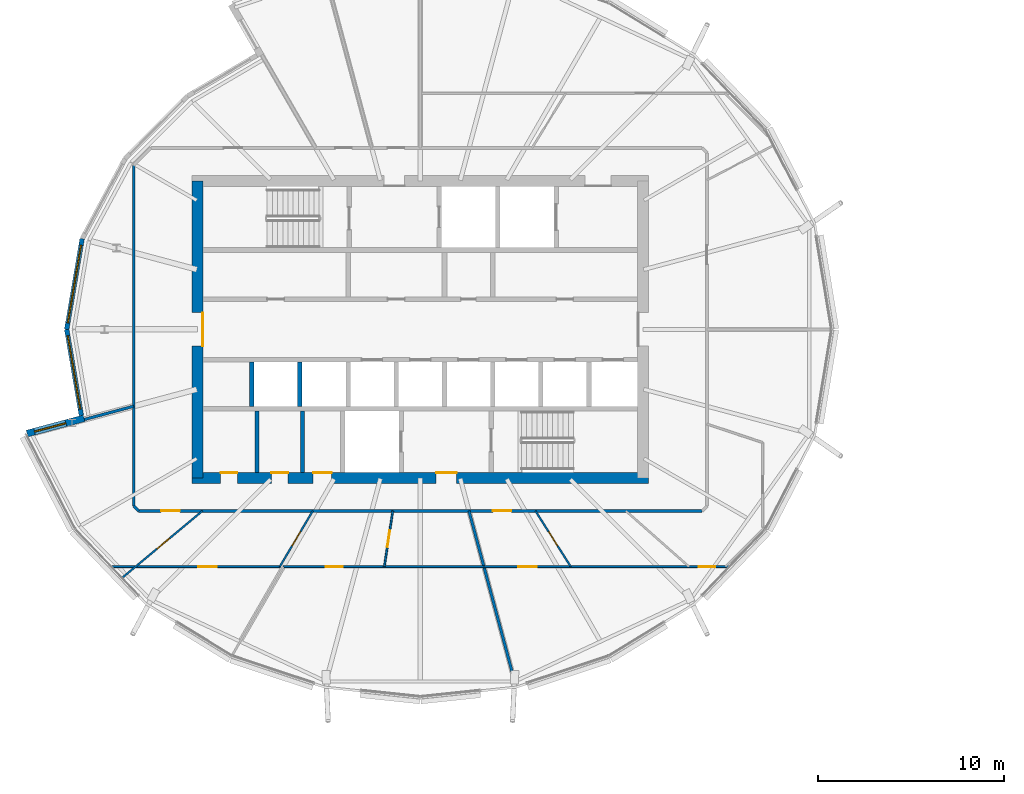
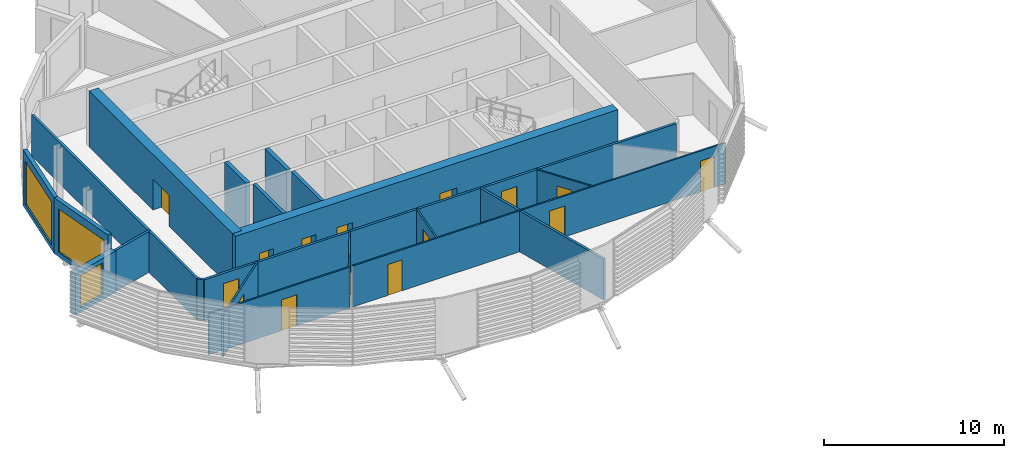
# One storey, part 18 of 36: 21 walls, 15 doors, 3 windows, 18 openings.
"""IFC4 building model written with IfcOpenShell, lengths in metres."""

from ifc_helpers import new_model, si_unit, direction, frame, frame_2d, origin, place, context, subcontext, project, spatial, rectangle, extrude, material, layer, layer_set, type_object, element, fill, save


model = new_model("IFC4")

# Units and contexts
model_context = context("Model", 3, precision=1e-05, world=origin(), true_north=direction((0.0, 1.0)))
body_context = subcontext(model_context, "Body", "Model", "MODEL_VIEW")
ifc_project = project(units=[si_unit("LENGTHUNIT", "METRE"), si_unit("AREAUNIT", "SQUARE_METRE"), si_unit("VOLUMEUNIT", "CUBIC_METRE"), si_unit("PLANEANGLEUNIT", "RADIAN"), si_unit("MASSUNIT", "GRAM", prefix="KILO")], contexts=[model_context])

# Site, building, storey
site_placement = place(None, origin())
site = spatial("IfcSite", under=ifc_project, at=site_placement, CompositionType="ELEMENT")
building_placement = place(site_placement, origin())
building = spatial("IfcBuilding", under=site, at=building_placement, Name="Rimbun Link Towers", CompositionType="ELEMENT")
storey_placement = place(building_placement, frame((0.0, 0.0, 174.10009765625)))
storey = spatial("IfcBuildingStorey", under=building, at=storey_placement, Name="L42", CompositionType="ELEMENT", Elevation=174.10009765625)

# Wall, opening, window
ifc_material_1 = material(Name="Dark enamelled glass spandrel on insulated aluminium backpan", Category="aluminium")
ifc_layer_1 = layer(ifc_material_1, 0.25)
ifc_layer_set_1 = layer_set([ifc_layer_1], Name="CS dark enamelled spandrel wall 250")
wall_type_1 = type_object("IfcWallType", Name="CS dark enamelled spandrel wall 250", PredefinedType="STANDARD", material=ifc_layer_set_1)
wall_1_placement = place(storey_placement, frame((-50.79541015625, 0.0, 0.0), z_axis=(0.0, 0.0, 1.0), x_axis=(0.16766295231, 0.985844376371, 0.0)))
wall_1 = element("IfcWall", 1, at=wall_1_placement, inside=storey, type_object=wall_type_1, Name="Crease spandrel wall", PredefinedType="STANDARD", context=body_context, shape_type="SweptSolid", body=[
    extrude(rectangle(XDim=4.959716796875, YDim=0.25, at=frame_2d((2.47998046875, 0.0))), origin(), (0.0, 0.0, 1.0), 3.7998046875),
])
opening_1_placement = place(wall_1_placement, frame((0.354736328125, 0.0, 0.300048828125)))
opening_1 = element("IfcOpeningElement", 2, at=opening_1_placement, cuts=wall_1, Name="Opening WR42H295", PredefinedType="OPENING", context=body_context, shape_type="SweptSolid", body=[
    extrude(rectangle(XDim=4.25, YDim=2.949951171875, at=frame_2d((2.125, 1.47509765625))), frame((0.0, 0.135009765625, 0.0), z_axis=(0.0, -1.0, 0.0), x_axis=(1.0, 0.0, 0.0)), (0.0, 0.0, 1.0), 0.27001953125),
])
ifc_material_2 = material(Name="Aluminium framed fixed window, dark tinted low-e glass", Category="aluminium")
window_type_1 = type_object("IfcWindowType", Name="WR ribbon window 4250X2950", PartitioningType="SINGLE_PANEL", PredefinedType="WINDOW", material=ifc_material_2)
window_1_placement = place(opening_1_placement, origin())
window_1 = element("IfcWindow", 3, at=window_1_placement, inside=storey, type_object=window_type_1, Name="Crease ribbon window", OverallHeight=2.949951171875, OverallWidth=4.25, PartitioningType="SINGLE_PANEL", PredefinedType="WINDOW", context=body_context, shape_type="SweptSolid", body=[
    extrude(rectangle(XDim=4.25, YDim=2.949951171875, at=frame_2d((2.125, 1.47509765625))), frame((0.0, 0.030029296875, 0.0), z_axis=(0.0, -1.0, 0.0), x_axis=(1.0, 0.0, 0.0)), (0.0, 0.0, 1.0), 0.06005859375),
])
fill(opening_1, window_1)

wall_2_placement = place(storey_placement, frame((-50.007568359375, -4.63330078125, 0.0), z_axis=(0.0, 0.0, 1.0), x_axis=(-0.167632854834, 0.985849494588, 0.0)))
wall_2 = element("IfcWall", 4, at=wall_2_placement, inside=storey, type_object=wall_type_1, Name="Crease spandrel wall", PredefinedType="STANDARD", context=body_context, shape_type="SweptSolid", body=[
    extrude(rectangle(XDim=4.69970703125, YDim=0.25, at=frame_2d((2.349853515625, 0.0))), origin(), (0.0, 0.0, 1.0), 3.7998046875),
])
opening_2_placement = place(wall_2_placement, frame((0.349853515625, 0.0, 0.300048828125)))
opening_2 = element("IfcOpeningElement", 5, at=opening_2_placement, cuts=wall_2, Name="Opening WR40H295", PredefinedType="OPENING", context=body_context, shape_type="SweptSolid", body=[
    extrude(rectangle(XDim=4.0, YDim=2.949951171875, at=frame_2d((2.0, 1.47509765625))), frame((0.0, 0.135009765625, 0.0), z_axis=(0.0, -1.0, 0.0), x_axis=(1.0, 0.0, 0.0)), (0.0, 0.0, 1.0), 0.27001953125),
])
ifc_material_3 = material(Name="Aluminium framed fixed window, dark tinted low-e glass", Category="aluminium")
window_type_2 = type_object("IfcWindowType", Name="WR ribbon window 4000X2950", PartitioningType="SINGLE_PANEL", PredefinedType="WINDOW", material=ifc_material_3)
window_2_placement = place(opening_2_placement, origin())
window_2 = element("IfcWindow", 6, at=window_2_placement, inside=storey, type_object=window_type_2, Name="Crease ribbon window", OverallHeight=2.949951171875, OverallWidth=4.0, PartitioningType="SINGLE_PANEL", PredefinedType="WINDOW", context=body_context, shape_type="SweptSolid", body=[
    extrude(rectangle(XDim=4.0, YDim=2.949951171875, at=frame_2d((2.0, 1.47509765625))), frame((0.0, 0.030029296875, 0.0), z_axis=(0.0, -1.0, 0.0), x_axis=(1.0, 0.0, 0.0)), (0.0, 0.0, 1.0), 0.06005859375),
])
fill(opening_2, window_2)

ifc_material_4 = material(Name="Dark enamelled glass spandrel on insulated aluminium backpan", Category="aluminium")
ifc_layer_2 = layer(ifc_material_4, 0.3701171875)
ifc_layer_set_2 = layer_set([ifc_layer_2], Name="CS dark enamelled spandrel wall 370")
wall_type_2 = type_object("IfcWallType", Name="CS dark enamelled spandrel wall 370", PredefinedType="STANDARD", material=ifc_layer_set_2)
wall_3_placement = place(storey_placement, frame((-52.9326171875, -5.608642578125, 0.0), z_axis=(0.0, 0.0, 1.0), x_axis=(0.96591309558, 0.258866552082, 0.0)))
wall_3 = element("IfcWall", 7, at=wall_3_placement, inside=storey, type_object=wall_type_2, Name="Crease spandrel wall", PredefinedType="STANDARD", context=body_context, shape_type="SweptSolid", body=[
    extrude(rectangle(XDim=3.18017578125, YDim=0.3701171875, at=frame_2d((1.590087890625, 0.0))), origin(), (0.0, 0.0, 1.0), 2.799072265625),
])
opening_3_placement = place(wall_3_placement, frame((0.41650390625, 0.0, 0.300048828125)))
opening_3 = element("IfcOpeningElement", 8, at=opening_3_placement, cuts=wall_3, Name="Opening WR18H220", PredefinedType="OPENING", context=body_context, shape_type="SweptSolid", body=[
    extrude(rectangle(XDim=1.75, YDim=2.199951171875, at=frame_2d((0.875, 1.10009765625))), frame((0.0, 0.195068359375, 0.0), z_axis=(0.0, -1.0, 0.0), x_axis=(1.0, 0.0, 0.0)), (0.0, 0.0, 1.0), 0.39013671875),
])
ifc_material_5 = material(Name="Aluminium framed fixed window, dark tinted low-e glass", Category="aluminium")
window_type_3 = type_object("IfcWindowType", Name="WR ribbon window 1750X2200", PartitioningType="SINGLE_PANEL", PredefinedType="WINDOW", material=ifc_material_5)
window_3_placement = place(opening_3_placement, origin())
window_3 = element("IfcWindow", 9, at=window_3_placement, inside=storey, type_object=window_type_3, Name="Crease ribbon window", OverallHeight=2.199951171875, OverallWidth=1.75, PartitioningType="SINGLE_PANEL", PredefinedType="WINDOW", context=body_context, shape_type="SweptSolid", body=[
    extrude(rectangle(XDim=1.75, YDim=2.199951171875, at=frame_2d((0.875, 1.10009765625))), frame((0.0, 0.030029296875, 0.0), z_axis=(0.0, -1.0, 0.0), x_axis=(1.0, 0.0, 0.0)), (0.0, 0.0, 1.0), 0.06005859375),
])
fill(opening_3, window_3)

# Walls
ifc_material_6 = material(Name="Masonry blockwork", Category="masonry")
ifc_layer_3 = layer(ifc_material_6, 0.199951171875)
ifc_layer_set_3 = layer_set([ifc_layer_3], Name="Core partition 200")
wall_type_3 = type_object("IfcWallType", Name="Core partition 200", PredefinedType="PARTITIONING", material=ifc_layer_set_3)
for number, where, z_axis, x_axis, name in (
    (10, (-40.550048828125, -4.39990234375, 0.0), (0.0, 0.0, 1.0), (0.0, -1.0, 0.0), "L42 T1 core wall C1"),
    (11, (-38.10009765625, -4.39990234375, 0.0), (0.0, 0.0, 1.0), (0.0, -1.0, 0.0), "L42 T1 core wall C2"),
):
    element("IfcWall", number, at=place(storey_placement, frame(where, z_axis=z_axis, x_axis=x_axis)), inside=storey, type_object=wall_type_3, Name=name, PredefinedType="PARTITIONING", context=body_context, shape_type="SweptSolid", body=[
        extrude(rectangle(XDim=3.300048828125, YDim=0.199951171875, at=frame_2d((1.64990234375, 0.0))), origin(), (0.0, 0.0, 1.0), 3.7998046875),
    ])

# Wall, openings, doors
ifc_material_7 = material(Name="Concrete C60/75", Category="concrete")
ifc_layer_4 = layer(ifc_material_7, 0.60009765625)
ifc_layer_set_4 = layer_set([ifc_layer_4], Name="Core shear wall 600")
wall_type_4 = type_object("IfcWallType", Name="Core shear wall 600", PredefinedType="SHEAR", material=ifc_layer_set_4)
wall_4_placement = place(storey_placement, frame((-44.050048828125, -8.0, 0.0), z_axis=(0.0, 0.0, 1.0), x_axis=(1.0, 0.0, 0.0)))
wall_4 = element("IfcWall", 12, at=wall_4_placement, inside=storey, type_object=wall_type_4, Name="L42 T1 core wall S", PredefinedType="SHEAR", context=body_context, shape_type="SweptSolid", body=[
    extrude(rectangle(XDim=24.60009765625, YDim=0.60009765625, at=frame_2d((12.300048828125, 0.0))), origin(), (0.0, 0.0, 1.0), 3.7998046875),
])
opening_4_placement = place(wall_4_placement, frame((13.14990234375, 0.0, 0.0)))
opening_4 = element("IfcOpeningElement", 13, at=opening_4_placement, cuts=wall_4, Name="Opening C1DCF01S", PredefinedType="OPENING", context=body_context, shape_type="SweptSolid", body=[
    extrude(rectangle(XDim=1.10009765625, YDim=2.10009765625, at=frame_2d((0.550048828125, 1.050048828125))), frame((0.0, 0.31005859375, 0.0), z_axis=(0.0, -1.0, 0.0), x_axis=(1.0, 0.0, 0.0)), (0.0, 0.0, 1.0), 0.6201171875),
])
opening_5_placement = place(wall_4_placement, frame((1.550048828125, 0.0, 0.0)))
opening_5 = element("IfcOpeningElement", 14, at=opening_5_placement, cuts=wall_4, Name="Opening C1DWC02S", PredefinedType="OPENING", context=body_context, shape_type="SweptSolid", body=[
    extrude(rectangle(XDim=0.89990234375, YDim=2.10009765625, at=frame_2d((0.449951171875, 1.050048828125))), frame((0.0, 0.31005859375, 0.0), z_axis=(0.0, -1.0, 0.0), x_axis=(1.0, 0.0, 0.0)), (0.0, 0.0, 1.0), 0.6201171875),
])
opening_6_placement = place(wall_4_placement, frame((4.27490234375, 0.0, 0.0)))
opening_6 = element("IfcOpeningElement", 15, at=opening_6_placement, cuts=wall_4, Name="Opening C1DWC03S", PredefinedType="OPENING", context=body_context, shape_type="SweptSolid", body=[
    extrude(rectangle(XDim=0.89990234375, YDim=2.10009765625, at=frame_2d((0.449951171875, 1.050048828125))), frame((0.0, 0.31005859375, 0.0), z_axis=(0.0, -1.0, 0.0), x_axis=(1.0, 0.0, 0.0)), (0.0, 0.0, 1.0), 0.6201171875),
])
opening_7_placement = place(wall_4_placement, frame((6.52490234375, 0.0, 0.0)))
opening_7 = element("IfcOpeningElement", 16, at=opening_7_placement, cuts=wall_4, Name="Opening C1DAW04S", PredefinedType="OPENING", context=body_context, shape_type="SweptSolid", body=[
    extrude(rectangle(XDim=1.0, YDim=2.10009765625, at=frame_2d((0.5, 1.050048828125))), frame((0.0, 0.31005859375, 0.0), z_axis=(0.0, -1.0, 0.0), x_axis=(1.0, 0.0, 0.0)), (0.0, 0.0, 1.0), 0.6201171875),
])
ifc_material_8 = material(Name="Timber", Category="wood")
door_type_1 = type_object("IfcDoorType", Name="Accessible WC door", OperationType="SINGLE_SWING_LEFT", PredefinedType="DOOR", material=ifc_material_8)
door_1_placement = place(opening_7_placement, origin())
door_1 = element("IfcDoor", 17, at=door_1_placement, inside=storey, type_object=door_type_1, Name="L42 T1 accessible wc door", OperationType="SINGLE_SWING_RIGHT", OverallHeight=2.10009765625, OverallWidth=1.0, PredefinedType="DOOR", context=body_context, shape_type="SweptSolid", body=[
    extrude(rectangle(XDim=1.0, YDim=2.10009765625, at=frame_2d((0.5, 1.050048828125))), frame((0.0, 0.2998046875, 0.0), z_axis=(0.0, -1.0, 0.0), x_axis=(1.0, 0.0, 0.0)), (0.0, 0.0, 1.0), 0.050048828125),
])
fill(opening_7, door_1)
ifc_material_9 = material(Name="Steel fire door set", Category="steel")
door_type_2 = type_object("IfcDoorType", Name="Core fire door single", OperationType="SINGLE_SWING_LEFT", PredefinedType="DOOR", material=ifc_material_9)
door_2_placement = place(opening_4_placement, origin())
door_2 = element("IfcDoor", 18, at=door_2_placement, inside=storey, type_object=door_type_2, Name="L42 T1 firefighting lobby s door", OperationType="SINGLE_SWING_RIGHT", OverallHeight=2.10009765625, OverallWidth=1.10009765625, PredefinedType="DOOR", context=body_context, shape_type="SweptSolid", body=[
    extrude(rectangle(XDim=1.10009765625, YDim=2.10009765625, at=frame_2d((0.550048828125, 1.050048828125))), frame((0.0, 0.2998046875, 0.0), z_axis=(0.0, -1.0, 0.0), x_axis=(1.0, 0.0, 0.0)), (0.0, 0.0, 1.0), 0.050048828125),
])
fill(opening_4, door_2)
ifc_material_10 = material(Name="Timber", Category="wood")
door_type_3 = type_object("IfcDoorType", Name="WC door", OperationType="SINGLE_SWING_LEFT", PredefinedType="DOOR", material=ifc_material_10)
door_3_placement = place(opening_5_placement, origin())
door_3 = element("IfcDoor", 19, at=door_3_placement, inside=storey, type_object=door_type_3, Name="L42 T1 male wc door", OperationType="SINGLE_SWING_RIGHT", OverallHeight=2.10009765625, OverallWidth=0.89990234375, PredefinedType="DOOR", context=body_context, shape_type="SweptSolid", body=[
    extrude(rectangle(XDim=0.89990234375, YDim=2.10009765625, at=frame_2d((0.449951171875, 1.050048828125))), frame((0.0, 0.2998046875, 0.0), z_axis=(0.0, -1.0, 0.0), x_axis=(1.0, 0.0, 0.0)), (0.0, 0.0, 1.0), 0.050048828125),
])
fill(opening_5, door_3)
door_4_placement = place(opening_6_placement, origin())
door_4 = element("IfcDoor", 20, at=door_4_placement, inside=storey, type_object=door_type_3, Name="L42 T1 female wc door", OperationType="SINGLE_SWING_LEFT", OverallHeight=2.10009765625, OverallWidth=0.89990234375, PredefinedType="DOOR", context=body_context, shape_type="SweptSolid", body=[
    extrude(rectangle(XDim=0.89990234375, YDim=2.10009765625, at=frame_2d((0.449951171875, 1.050048828125))), frame((0.0, 0.2998046875, 0.0), z_axis=(0.0, -1.0, 0.0), x_axis=(1.0, 0.0, 0.0)), (0.0, 0.0, 1.0), 0.050048828125),
])
fill(opening_6, door_4)

# Wall, opening, door
wall_5_placement = place(storey_placement, frame((-43.75, -8.0, 0.0), z_axis=(0.0, 0.0, 1.0), x_axis=(0.0, 1.0, 0.0)))
wall_5 = element("IfcWall", 21, at=wall_5_placement, inside=storey, type_object=wall_type_4, Name="L42 T1 core wall W", PredefinedType="SHEAR", context=body_context, shape_type="SweptSolid", body=[
    extrude(rectangle(XDim=16.0, YDim=0.60009765625, at=frame_2d((8.0, 0.0))), origin(), (0.0, 0.0, 1.0), 3.7998046875),
])
opening_8_placement = place(wall_5_placement, frame((7.10009765625, 0.0, 0.0)))
opening_8 = element("IfcOpeningElement", 22, at=opening_8_placement, cuts=wall_5, Name="Opening C1DCL01W", PredefinedType="OPENING", context=body_context, shape_type="SweptSolid", body=[
    extrude(rectangle(XDim=1.800048828125, YDim=2.10009765625, at=frame_2d((0.89990234375, 1.050048828125))), frame((0.0, 0.31005859375, 0.0), z_axis=(0.0, -1.0, 0.0), x_axis=(1.0, 0.0, 0.0)), (0.0, 0.0, 1.0), 0.6201171875),
])
ifc_material_11 = material(Name="Steel fire door set", Category="steel")
door_type_4 = type_object("IfcDoorType", Name="Core lobby door double", OperationType="DOUBLE_DOOR_SINGLE_SWING", PredefinedType="DOOR", material=ifc_material_11)
door_5_placement = place(opening_8_placement, origin())
door_5 = element("IfcDoor", 23, at=door_5_placement, inside=storey, type_object=door_type_4, Name="L42 T1 lift lobby door", OperationType="DOUBLE_DOOR_SINGLE_SWING", OverallHeight=2.10009765625, OverallWidth=1.800048828125, PredefinedType="DOOR", context=body_context, shape_type="SweptSolid", body=[
    extrude(rectangle(XDim=1.800048828125, YDim=2.10009765625, at=frame_2d((0.89990234375, 1.050048828125))), frame((0.0, -0.25, 0.0), z_axis=(0.0, -1.0, 0.0), x_axis=(1.0, 0.0, 0.0)), (0.0, 0.0, 1.0), 0.050048828125),
])
fill(opening_8, door_5)

# Wall, openings, doors
ifc_material_12 = material(Name="Plasterboard on steel stud, mineral wool", Category="steel")
ifc_layer_5 = layer(ifc_material_12, 0.14990234375)
ifc_layer_set_5 = layer_set([ifc_layer_5], Name="Corridor wall EI 30 150 mm")
wall_type_5 = type_object("IfcWallType", Name="Corridor wall EI 30 150 mm", PredefinedType="PARTITIONING", material=ifc_layer_set_5)
wall_6_placement = place(storey_placement, frame((-16.576416015625, -9.77490234375, 0.0), z_axis=(0.0, 0.0, 1.0), x_axis=(-1.0, 0.0, 0.0)))
wall_6 = element("IfcWall", 24, at=wall_6_placement, inside=storey, type_object=wall_type_5, Name="Corridor wall EI 30 150 mm", PredefinedType="PARTITIONING", context=body_context, shape_type="SweptSolid", body=[
    extrude(rectangle(XDim=30.34716796875, YDim=0.14990234375, at=frame_2d((15.173583984375, 0.0))), origin(), (0.0, 0.0, 1.0), 2.788818359375),
])
opening_9_placement = place(wall_6_placement, frame((28.128662109375, 0.0, 0.0)))
opening_9 = element("IfcOpeningElement", 25, at=opening_9_placement, cuts=wall_6, Name="Opening D01", PredefinedType="OPENING", context=body_context, shape_type="SweptSolid", body=[
    extrude(rectangle(XDim=1.0, YDim=2.10009765625, at=frame_2d((0.5, 1.050048828125))), frame((0.0, 0.0849609375, 0.0), z_axis=(0.0, -1.0, 0.0), x_axis=(1.0, 0.0, 0.0)), (0.0, 0.0, 1.0), 0.169921875),
])
opening_10_placement = place(wall_6_placement, frame((10.264892578125, 0.0, 0.0)))
opening_10 = element("IfcOpeningElement", 26, at=opening_10_placement, cuts=wall_6, Name="Opening D01", PredefinedType="OPENING", context=body_context, shape_type="SweptSolid", body=[
    extrude(rectangle(XDim=1.0, YDim=2.10009765625, at=frame_2d((0.5, 1.050048828125))), frame((0.0, 0.0849609375, 0.0), z_axis=(0.0, -1.0, 0.0), x_axis=(1.0, 0.0, 0.0)), (0.0, 0.0, 1.0), 0.169921875),
])
ifc_material_13 = material(Name="Fire-resisting timber door leaf", Category="wood")
door_type_5 = type_object("IfcDoorType", Name="Fire door FD30S 1000", OperationType="NOTDEFINED", PredefinedType="DOOR", material=ifc_material_13)
door_6_placement = place(opening_9_placement, origin())
door_6 = element("IfcDoor", 27, at=door_6_placement, inside=storey, type_object=door_type_5, Name="Fire door FD30S 1000 to Tenant lobby", OperationType="SINGLE_SWING_RIGHT", OverallHeight=2.10009765625, OverallWidth=1.0, PredefinedType="DOOR", context=body_context, shape_type="SweptSolid", body=[
    extrude(rectangle(XDim=1.0, YDim=2.10009765625, at=frame_2d((0.5, 1.050048828125))), frame((0.0, 0.02490234375, 0.0), z_axis=(0.0, -1.0, 0.0), x_axis=(1.0, 0.0, 0.0)), (0.0, 0.0, 1.0), 0.050048828125),
])
fill(opening_9, door_6)
door_7_placement = place(opening_10_placement, origin())
door_7 = element("IfcDoor", 28, at=door_7_placement, inside=storey, type_object=door_type_5, Name="Fire door FD30S 1000 to Tenant lobby", OperationType="SINGLE_SWING_RIGHT", OverallHeight=2.10009765625, OverallWidth=1.0, PredefinedType="DOOR", context=body_context, shape_type="SweptSolid", body=[
    extrude(rectangle(XDim=1.0, YDim=2.10009765625, at=frame_2d((0.5, 1.050048828125))), frame((0.0, 0.02490234375, 0.0), z_axis=(0.0, -1.0, 0.0), x_axis=(1.0, 0.0, 0.0)), (0.0, 0.0, 1.0), 0.050048828125),
])
fill(opening_10, door_7)

# Walls
wall_7_placement = place(storey_placement, frame((-47.18505859375, -9.513671875, 0.0), z_axis=(0.0, 0.0, 1.0), x_axis=(0.707436973419, -0.706776434695, 0.0)))
element("IfcWall", 29, at=wall_7_placement, inside=storey, type_object=wall_type_5, Name="Corridor wall EI 30 150 mm", PredefinedType="PARTITIONING", context=body_context, shape_type="SweptSolid", body=[
    extrude(rectangle(XDim=0.36962890625, YDim=0.14990234375, at=frame_2d((0.184814453125, 0.0))), origin(), (0.0, 0.0, 1.0), 2.788818359375),
])
wall_8_placement = place(storey_placement, frame((-47.18505859375, 8.8544921875, 0.0), z_axis=(0.0, 0.0, 1.0), x_axis=(0.0, -1.0, 0.0)))
element("IfcWall", 30, at=wall_8_placement, inside=storey, type_object=wall_type_5, Name="Corridor wall EI 30 150 mm", PredefinedType="PARTITIONING", context=body_context, shape_type="SweptSolid", body=[
    extrude(rectangle(XDim=18.3681640625, YDim=0.14990234375, at=frame_2d((9.18408203125, 0.0))), origin(), (0.0, 0.0, 1.0), 2.788818359375),
])

# Wall, opening, door
ifc_material_14 = material(Name="Plasterboard on steel stud", Category="steel")
ifc_layer_6 = layer(ifc_material_14, 0.10009765625)
ifc_layer_set_6 = layer_set([ifc_layer_6], Name="Plasterboard partition 100 mm")
wall_type_6 = type_object("IfcWallType", Name="Plasterboard partition 100 mm", PredefinedType="PARTITIONING", material=ifc_layer_set_6)
wall_9_placement = place(storey_placement, frame((-43.486328125, -9.77490234375, 0.0), z_axis=(0.0, 0.0, 1.0), x_axis=(-0.768385030007, -0.639987848057, 0.0)))
wall_9 = element("IfcWall", 31, at=wall_9_placement, inside=storey, type_object=wall_type_6, Name="Plasterboard partition 100 mm", PredefinedType="PARTITIONING", context=body_context, shape_type="SweptSolid", body=[
    extrude(rectangle(XDim=5.62060546875, YDim=0.10009765625, at=frame_2d((2.810302734375, 0.0))), origin(), (0.0, 0.0, 1.0), 2.788818359375),
])
opening_11_placement = place(wall_9_placement, frame((2.293701171875, 0.0, 0.0)))
opening_11 = element("IfcOpeningElement", 32, at=opening_11_placement, cuts=wall_9, Name="Opening D04", PredefinedType="OPENING", context=body_context, shape_type="SweptSolid", body=[
    extrude(rectangle(XDim=0.89990234375, YDim=2.10009765625, at=frame_2d((0.449951171875, 1.050048828125))), frame((0.0, 0.06005859375, 0.0), z_axis=(0.0, -1.0, 0.0), x_axis=(1.0, 0.0, 0.0)), (0.0, 0.0, 1.0), 0.1201171875),
])
ifc_material_15 = material(Name="Timber door leaf", Category="wood")
door_type_6 = type_object("IfcDoorType", Name="Flush door 900", OperationType="NOTDEFINED", PredefinedType="DOOR", material=ifc_material_15)
door_8_placement = place(opening_11_placement, origin())
door_8 = element("IfcDoor", 33, at=door_8_placement, inside=storey, type_object=door_type_6, Name="Flush door 900 to Huddle room", OperationType="SINGLE_SWING_RIGHT", OverallHeight=2.10009765625, OverallWidth=0.89990234375, PredefinedType="DOOR", context=body_context, shape_type="SweptSolid", body=[
    extrude(rectangle(XDim=0.89990234375, YDim=2.10009765625, at=frame_2d((0.449951171875, 1.050048828125))), frame((0.0, 0.02490234375, 0.0), z_axis=(0.0, -1.0, 0.0), x_axis=(1.0, 0.0, 0.0)), (0.0, 0.0, 1.0), 0.050048828125),
])
fill(opening_11, door_8)

wall_10_placement = place(storey_placement, frame((-39.28662109375, -12.77490234375, 0.0), z_axis=(0.0, 0.0, 1.0), x_axis=(-1.0, 0.0, 0.0)))
wall_10 = element("IfcWall", 34, at=wall_10_placement, inside=storey, type_object=wall_type_6, Name="Plasterboard partition 100 mm", PredefinedType="PARTITIONING", context=body_context, shape_type="SweptSolid", body=[
    extrude(rectangle(XDim=9.085205078125, YDim=0.10009765625, at=frame_2d((4.54248046875, 0.0))), origin(), (0.0, 0.0, 1.0), 2.788818359375),
])
opening_12_placement = place(wall_10_placement, frame((3.416015625, 0.0, 0.0)))
opening_12 = element("IfcOpeningElement", 35, at=opening_12_placement, cuts=wall_10, Name="Opening D03", PredefinedType="OPENING", context=body_context, shape_type="SweptSolid", body=[
    extrude(rectangle(XDim=1.0, YDim=2.10009765625, at=frame_2d((0.5, 1.050048828125))), frame((0.0, 0.06005859375, 0.0), z_axis=(0.0, -1.0, 0.0), x_axis=(1.0, 0.0, 0.0)), (0.0, 0.0, 1.0), 0.1201171875),
])
ifc_material_16 = material(Name="Timber door leaf", Category="wood")
door_type_7 = type_object("IfcDoorType", Name="Flush door 1000", OperationType="NOTDEFINED", PredefinedType="DOOR", material=ifc_material_16)
door_9_placement = place(opening_12_placement, origin())
door_9 = element("IfcDoor", 36, at=door_9_placement, inside=storey, type_object=door_type_7, Name="Flush door 1000 to Open office", OperationType="SINGLE_SWING_RIGHT", OverallHeight=2.10009765625, OverallWidth=1.0, PredefinedType="DOOR", context=body_context, shape_type="SweptSolid", body=[
    extrude(rectangle(XDim=1.0, YDim=2.10009765625, at=frame_2d((0.5, 1.050048828125))), frame((0.0, 0.02490234375, 0.0), z_axis=(0.0, -1.0, 0.0), x_axis=(1.0, 0.0, 0.0)), (0.0, 0.0, 1.0), 0.050048828125),
])
fill(opening_12, door_9)

wall_11_placement = place(storey_placement, frame((-37.54345703125, -9.77490234375, 0.0), z_axis=(0.0, 0.0, 1.0), x_axis=(-0.509865715638, -0.86025400436, 0.0)))
wall_11 = element("IfcWall", 37, at=wall_11_placement, inside=storey, type_object=wall_type_6, Name="Plasterboard partition 100 mm", PredefinedType="PARTITIONING", context=body_context, shape_type="SweptSolid", body=[
    extrude(rectangle(XDim=3.4873046875, YDim=0.10009765625, at=frame_2d((1.74365234375, 0.0))), origin(), (0.0, 0.0, 1.0), 2.788818359375),
])
opening_13_placement = place(wall_11_placement, frame((1.293701171875, 0.0, 0.0)))
opening_13 = element("IfcOpeningElement", 38, at=opening_13_placement, cuts=wall_11, Name="Opening D04", PredefinedType="OPENING", context=body_context, shape_type="SweptSolid", body=[
    extrude(rectangle(XDim=0.89990234375, YDim=2.10009765625, at=frame_2d((0.449951171875, 1.050048828125))), frame((0.0, 0.06005859375, 0.0), z_axis=(0.0, -1.0, 0.0), x_axis=(1.0, 0.0, 0.0)), (0.0, 0.0, 1.0), 0.1201171875),
])
door_10_placement = place(opening_13_placement, origin())
door_10 = element("IfcDoor", 39, at=door_10_placement, inside=storey, type_object=door_type_6, Name="Flush door 900 to Huddle room", OperationType="SINGLE_SWING_RIGHT", OverallHeight=2.10009765625, OverallWidth=0.89990234375, PredefinedType="DOOR", context=body_context, shape_type="SweptSolid", body=[
    extrude(rectangle(XDim=0.89990234375, YDim=2.10009765625, at=frame_2d((0.449951171875, 1.050048828125))), frame((0.0, 0.02490234375, 0.0), z_axis=(0.0, -1.0, 0.0), x_axis=(1.0, 0.0, 0.0)), (0.0, 0.0, 1.0), 0.050048828125),
])
fill(opening_13, door_10)

wall_12_placement = place(storey_placement, frame((-33.23388671875, -9.77490234375, 0.0), z_axis=(0.0, 0.0, 1.0), x_axis=(-0.15013428037, -0.988665614785, 0.0)))
wall_12 = element("IfcWall", 40, at=wall_12_placement, inside=storey, type_object=wall_type_6, Name="Plasterboard partition 100 mm", PredefinedType="PARTITIONING", context=body_context, shape_type="SweptSolid", body=[
    extrude(rectangle(XDim=3.034423828125, YDim=0.10009765625, at=frame_2d((1.51708984375, 0.0))), origin(), (0.0, 0.0, 1.0), 2.788818359375),
])
opening_14_placement = place(wall_12_placement, frame((1.067138671875, 0.0, 0.0)))
opening_14 = element("IfcOpeningElement", 41, at=opening_14_placement, cuts=wall_12, Name="Opening D04", PredefinedType="OPENING", context=body_context, shape_type="SweptSolid", body=[
    extrude(rectangle(XDim=0.89990234375, YDim=2.10009765625, at=frame_2d((0.449951171875, 1.050048828125))), frame((0.0, 0.06005859375, 0.0), z_axis=(0.0, -1.0, 0.0), x_axis=(1.0, 0.0, 0.0)), (0.0, 0.0, 1.0), 0.1201171875),
])
door_11_placement = place(opening_14_placement, origin())
door_11 = element("IfcDoor", 42, at=door_11_placement, inside=storey, type_object=door_type_6, Name="Flush door 900 to Pantry", OperationType="SINGLE_SWING_LEFT", OverallHeight=2.10009765625, OverallWidth=0.89990234375, PredefinedType="DOOR", context=body_context, shape_type="SweptSolid", body=[
    extrude(rectangle(XDim=0.89990234375, YDim=2.10009765625, at=frame_2d((0.449951171875, 1.050048828125))), frame((0.0, 0.02490234375, 0.0), z_axis=(0.0, -1.0, 0.0), x_axis=(1.0, 0.0, 0.0)), (0.0, 0.0, 1.0), 0.050048828125),
])
fill(opening_14, door_11)

wall_13_placement = place(storey_placement, frame((-28.326904296875, -12.77490234375, 0.0), z_axis=(0.0, 0.0, 1.0), x_axis=(-1.0, 0.0, 0.0)))
wall_13 = element("IfcWall", 43, at=wall_13_placement, inside=storey, type_object=wall_type_6, Name="Plasterboard partition 100 mm", PredefinedType="PARTITIONING", context=body_context, shape_type="SweptSolid", body=[
    extrude(rectangle(XDim=10.798828125, YDim=0.10009765625, at=frame_2d((5.3994140625, 0.0))), origin(), (0.0, 0.0, 1.0), 2.788818359375),
])
opening_15_placement = place(wall_13_placement, frame((7.615478515625, 0.0, 0.0)))
opening_15 = element("IfcOpeningElement", 44, at=opening_15_placement, cuts=wall_13, Name="Opening D04", PredefinedType="OPENING", context=body_context, shape_type="SweptSolid", body=[
    extrude(rectangle(XDim=0.89990234375, YDim=2.10009765625, at=frame_2d((0.449951171875, 1.050048828125))), frame((0.0, 0.06005859375, 0.0), z_axis=(0.0, -1.0, 0.0), x_axis=(1.0, 0.0, 0.0)), (0.0, 0.0, 1.0), 0.1201171875),
])
door_12_placement = place(opening_15_placement, origin())
door_12 = element("IfcDoor", 45, at=door_12_placement, inside=storey, type_object=door_type_6, Name="Flush door 900 to Project room", OperationType="SINGLE_SWING_LEFT", OverallHeight=2.10009765625, OverallWidth=0.89990234375, PredefinedType="DOOR", context=body_context, shape_type="SweptSolid", body=[
    extrude(rectangle(XDim=0.89990234375, YDim=2.10009765625, at=frame_2d((0.449951171875, 1.050048828125))), frame((0.0, 0.02490234375, 0.0), z_axis=(0.0, -1.0, 0.0), x_axis=(1.0, 0.0, 0.0)), (0.0, 0.0, 1.0), 0.050048828125),
])
fill(opening_15, door_12)

wall_14_placement = place(storey_placement, frame((-25.5517578125, -9.77490234375, 0.0), z_axis=(0.0, 0.0, 1.0), x_axis=(0.535522897054, -0.84452070829, 0.0)))
wall_14 = element("IfcWall", 46, at=wall_14_placement, inside=storey, type_object=wall_type_6, Name="Plasterboard partition 100 mm", PredefinedType="PARTITIONING", context=body_context, shape_type="SweptSolid", body=[
    extrude(rectangle(XDim=3.55224609375, YDim=0.10009765625, at=frame_2d((1.776123046875, 0.0))), origin(), (0.0, 0.0, 1.0), 2.788818359375),
])
opening_16_placement = place(wall_14_placement, frame((1.326171875, 0.0, 0.0)))
opening_16 = element("IfcOpeningElement", 47, at=opening_16_placement, cuts=wall_14, Name="Opening D04", PredefinedType="OPENING", context=body_context, shape_type="SweptSolid", body=[
    extrude(rectangle(XDim=0.89990234375, YDim=2.10009765625, at=frame_2d((0.449951171875, 1.050048828125))), frame((0.0, 0.06005859375, 0.0), z_axis=(0.0, -1.0, 0.0), x_axis=(1.0, 0.0, 0.0)), (0.0, 0.0, 1.0), 0.1201171875),
])
door_13_placement = place(opening_16_placement, origin())
door_13 = element("IfcDoor", 48, at=door_13_placement, inside=storey, type_object=door_type_6, Name="Flush door 900 to Huddle room", OperationType="SINGLE_SWING_RIGHT", OverallHeight=2.10009765625, OverallWidth=0.89990234375, PredefinedType="DOOR", context=body_context, shape_type="SweptSolid", body=[
    extrude(rectangle(XDim=0.89990234375, YDim=2.10009765625, at=frame_2d((0.449951171875, 1.050048828125))), frame((0.0, 0.02490234375, 0.0), z_axis=(0.0, -1.0, 0.0), x_axis=(1.0, 0.0, 0.0)), (0.0, 0.0, 1.0), 0.050048828125),
])
fill(opening_16, door_13)

# Wall, openings, doors
wall_15_placement = place(storey_placement, frame((-15.128173828125, -12.77490234375, 0.0), z_axis=(0.0, 0.0, 1.0), x_axis=(-1.0, 0.0, 0.0)))
wall_15 = element("IfcWall", 49, at=wall_15_placement, inside=storey, type_object=wall_type_6, Name="Plasterboard partition 100 mm", PredefinedType="PARTITIONING", context=body_context, shape_type="SweptSolid", body=[
    extrude(rectangle(XDim=13.19873046875, YDim=0.10009765625, at=frame_2d((6.599365234375, 0.0))), origin(), (0.0, 0.0, 1.0), 2.788818359375),
])
opening_17_placement = place(wall_15_placement, frame((10.344970703125, 0.0, 0.0)))
opening_17 = element("IfcOpeningElement", 50, at=opening_17_placement, cuts=wall_15, Name="Opening D03", PredefinedType="OPENING", context=body_context, shape_type="SweptSolid", body=[
    extrude(rectangle(XDim=1.0, YDim=2.10009765625, at=frame_2d((0.5, 1.050048828125))), frame((0.0, 0.06005859375, 0.0), z_axis=(0.0, -1.0, 0.0), x_axis=(1.0, 0.0, 0.0)), (0.0, 0.0, 1.0), 0.1201171875),
])
opening_18_placement = place(wall_15_placement, frame((0.72998046875, 0.0, 0.0)))
opening_18 = element("IfcOpeningElement", 51, at=opening_18_placement, cuts=wall_15, Name="Opening D04", PredefinedType="OPENING", context=body_context, shape_type="SweptSolid", body=[
    extrude(rectangle(XDim=0.89990234375, YDim=2.10009765625, at=frame_2d((0.449951171875, 1.050048828125))), frame((0.0, 0.06005859375, 0.0), z_axis=(0.0, -1.0, 0.0), x_axis=(1.0, 0.0, 0.0)), (0.0, 0.0, 1.0), 0.1201171875),
])
door_14_placement = place(opening_17_placement, origin())
door_14 = element("IfcDoor", 52, at=door_14_placement, inside=storey, type_object=door_type_7, Name="Flush door 1000 to Open office", OperationType="SINGLE_SWING_RIGHT", OverallHeight=2.10009765625, OverallWidth=1.0, PredefinedType="DOOR", context=body_context, shape_type="SweptSolid", body=[
    extrude(rectangle(XDim=1.0, YDim=2.10009765625, at=frame_2d((0.5, 1.050048828125))), frame((0.0, 0.02490234375, 0.0), z_axis=(0.0, -1.0, 0.0), x_axis=(1.0, 0.0, 0.0)), (0.0, 0.0, 1.0), 0.050048828125),
])
fill(opening_17, door_14)
door_15_placement = place(opening_18_placement, origin())
door_15 = element("IfcDoor", 53, at=door_15_placement, inside=storey, type_object=door_type_6, Name="Flush door 900 to Huddle room", OperationType="SINGLE_SWING_RIGHT", OverallHeight=2.10009765625, OverallWidth=0.89990234375, PredefinedType="DOOR", context=body_context, shape_type="SweptSolid", body=[
    extrude(rectangle(XDim=0.89990234375, YDim=2.10009765625, at=frame_2d((0.449951171875, 1.050048828125))), frame((0.0, 0.02490234375, 0.0), z_axis=(0.0, -1.0, 0.0), x_axis=(1.0, 0.0, 0.0)), (0.0, 0.0, 1.0), 0.050048828125),
])
fill(opening_18, door_15)

# Walls
ifc_material_17 = material(Name="Concrete C60/75", Category="concrete")
ifc_layer_7 = layer(ifc_material_17, 0.25)
ifc_layer_set_7 = layer_set([ifc_layer_7], Name="Shaft wall 250")
wall_type_7 = type_object("IfcWallType", Name="Shaft wall 250", PredefinedType="SHEAR", material=ifc_layer_set_7)
for number, where, z_axis, x_axis, name in (
    (54, (-40.83056640625, -4.14990234375, 0.0), (0.0, 0.0, 1.0), (0.0, 1.0, 0.0), "L42 T1 core wall DS0"),
    (55, (-38.236083984375, -4.14990234375, 0.0), (0.0, 0.0, 1.0), (0.0, 1.0, 0.0), "L42 T1 core wall DS1"),
):
    element("IfcWall", number, at=place(storey_placement, frame(where, z_axis=z_axis, x_axis=x_axis)), inside=storey, type_object=wall_type_7, Name=name, PredefinedType="SHEAR", context=body_context, shape_type="SweptSolid", body=[
        extrude(rectangle(XDim=2.39990234375, YDim=0.25, at=frame_2d((1.199951171875, 0.0))), origin(), (0.0, 0.0, 1.0), 3.7998046875),
    ])
ifc_material_18 = material(Name="Plasterboard on steel stud, mineral wool", Category="steel")
ifc_layer_8 = layer(ifc_material_18, 0.14990234375)
ifc_layer_set_8 = layer_set([ifc_layer_8], Name="Tenancy separation wall EI 60 150 mm")
wall_type_8 = type_object("IfcWallType", Name="Tenancy separation wall EI 60 150 mm", PredefinedType="PARTITIONING", material=ifc_layer_set_8)
wall_16_placement = place(storey_placement, frame((-47.18505859375, -4.1357421875, 0.0), z_axis=(0.0, 0.0, 1.0), x_axis=(-0.965908854841, -0.258882375106, 0.0)))
element("IfcWall", 56, at=wall_16_placement, inside=storey, type_object=wall_type_8, Name="Tenancy separation wall EI 60 150 mm", PredefinedType="PARTITIONING", context=body_context, shape_type="SweptSolid", body=[
    extrude(rectangle(XDim=2.752685546875, YDim=0.14990234375, at=frame_2d((1.37646484375, 0.0))), origin(), (0.0, 0.0, 1.0), 2.788818359375),
])
wall_17_placement = place(storey_placement, frame((-29.130859375, -9.77490234375, 0.0), z_axis=(0.0, 0.0, 1.0), x_axis=(0.258832734057, -0.965922158241, 0.0)))
element("IfcWall", 57, at=wall_17_placement, inside=storey, type_object=wall_type_8, Name="Tenancy separation wall EI 60 150 mm", PredefinedType="PARTITIONING", context=body_context, shape_type="SweptSolid", body=[
    extrude(rectangle(XDim=9.764404296875, YDim=0.14990234375, at=frame_2d((4.88232421875, 0.0))), origin(), (0.0, 0.0, 1.0), 2.788818359375),
])

save(model, "model.ifc")
